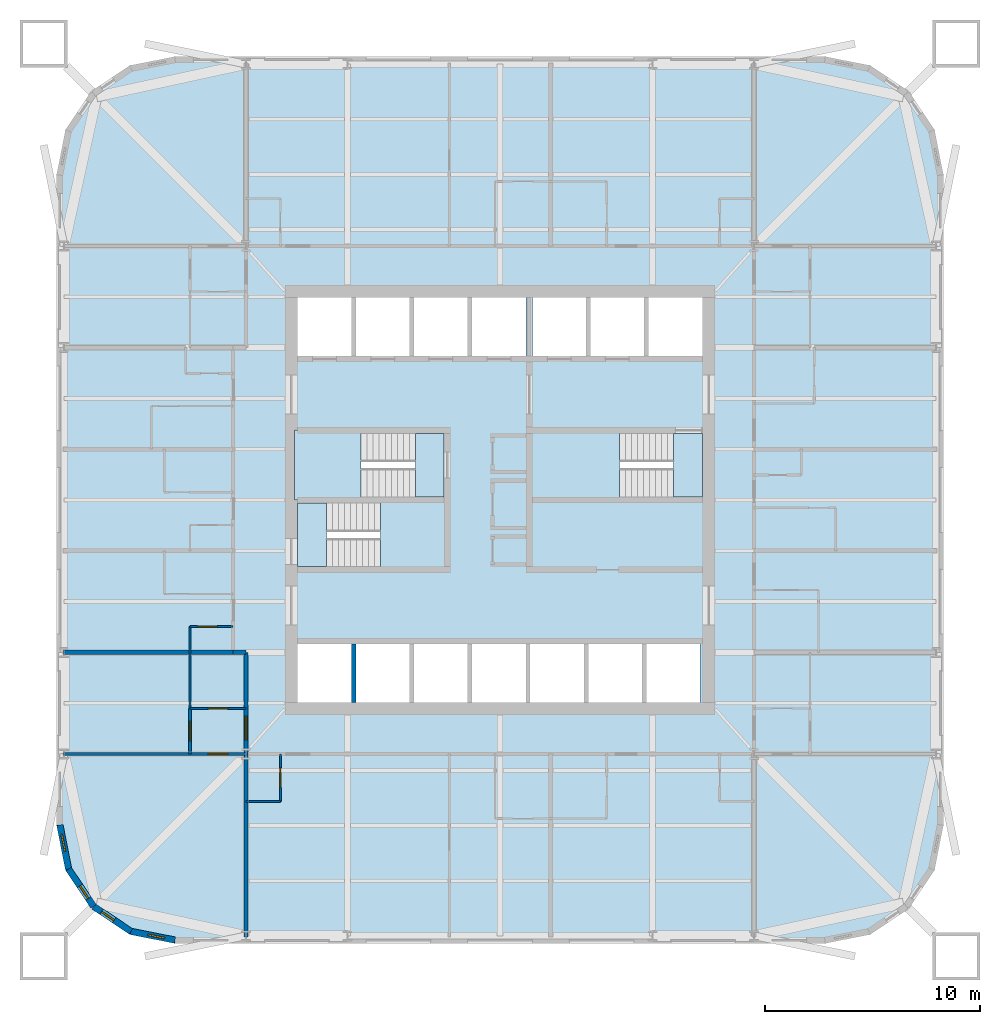
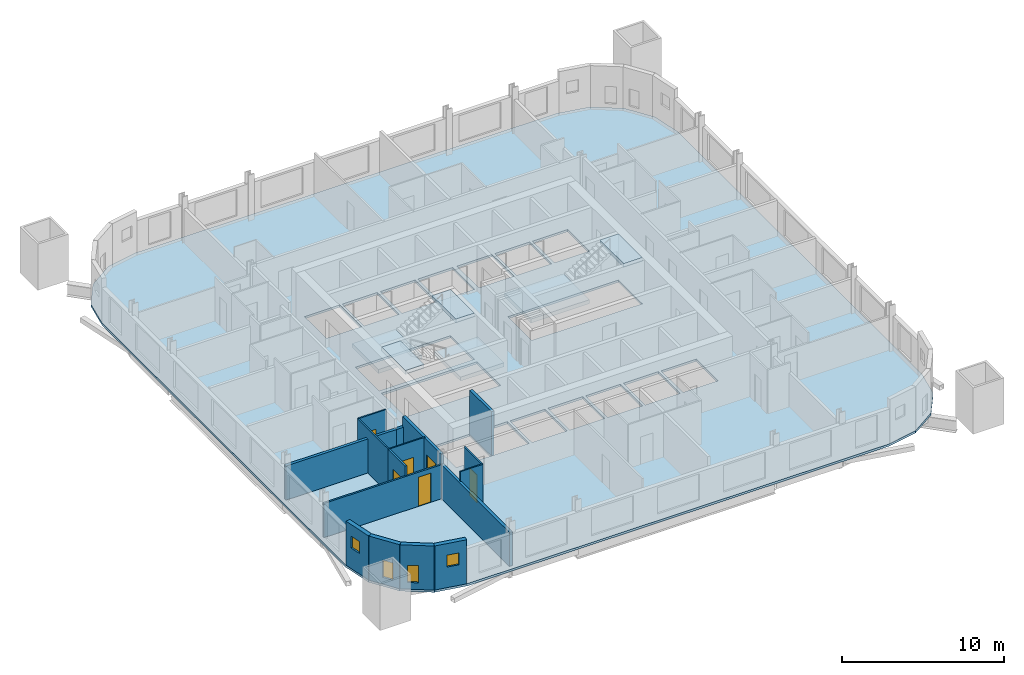
# One storey, part 2 of 9: 16 walls, 7 slabs, 6 doors, 4 windows, 10 openings, 3 elements without a shape of their own.
"""IFC4 building model written with IfcOpenShell, lengths in metres."""

import ifcopenshell
import ifcopenshell.guid

model = None  # the IFC model being written
_history = None  # IfcOwnerHistory: only IFC2X3 demands one
_inside = {}  # id of a spatial element -> (the spatial element, [elements in it])
_under = {}  # id of a project, library or spatial element -> (it, [spatial elements below it])
_declared = {}  # id of a project -> (the project, [libraries it declares])
_typed = {}  # id of a type object -> (the type object, [elements of that type])
_made_of = {}  # id of a material, layer set ... -> (it, [elements and type objects made of it])


def new_model(schema):
    """Start an empty IFC model of exactly this schema.

    Asked for "IFC4X3", IfcOpenShell would pick the latest addendum, in which some entities
    have other attributes; the version numbers below select the first issue.
    IFC2X3 requires an IfcOwnerHistory on every rooted entity: one is made here for all.
    """
    global model, _history
    if schema == "IFC4X3":
        model = ifcopenshell.file(schema_version=(4, 3, 0, 0))
    else:
        model = ifcopenshell.file(schema=schema)
    _inside.clear()
    _under.clear()
    _declared.clear()
    _typed.clear()
    _made_of.clear()
    _history = None
    if model.schema == "IFC2X3":
        org = make("IfcOrganization", Name="unknown")
        user = make(
            "IfcPersonAndOrganization",
            ThePerson=make("IfcPerson", FamilyName="unknown"),
            TheOrganization=org,
        )
        app = make(
            "IfcApplication",
            ApplicationDeveloper=org,
            Version="unknown",
            ApplicationFullName="unknown",
            ApplicationIdentifier="unknown",
        )
        _history = make(
            "IfcOwnerHistory",
            OwningUser=user,
            OwningApplication=app,
            ChangeAction="ADDED",
            CreationDate=0,
        )
    return model


def make(cls, **values):
    """One entity of the class cls with the attributes given. An attribute that is None is left unset."""
    return model.create_entity(
        cls, **{name: value for name, value in values.items() if value is not None}
    )


def rooted(cls, **values):
    """An entity with a GlobalId (a new one), such as an element, a storey or a relation."""
    return make(cls, GlobalId=ifcopenshell.guid.new(), OwnerHistory=_history, **values)


def si_unit(unit_type, name, prefix=None):
    """IfcSIUnit, for example si_unit("LENGTHUNIT", "METRE", prefix="MILLI")."""
    return make("IfcSIUnit", UnitType=unit_type, Prefix=prefix, Name=name)


def assignment(units):
    """IfcUnitAssignment: the units of a project."""
    return None if units is None else make("IfcUnitAssignment", Units=units)


def point(xyz):
    """IfcCartesianPoint."""
    return None if xyz is None else make("IfcCartesianPoint", Coordinates=xyz)


def direction(xyz):
    """IfcDirection."""
    return None if xyz is None else make("IfcDirection", DirectionRatios=xyz)


def frame(location, z_axis=None, x_axis=None):
    """IfcAxis2Placement3D, a coordinate frame: its origin and axes. An axis left out is left unset."""
    return make(
        "IfcAxis2Placement3D",
        Location=point(location),
        Axis=direction(z_axis),
        RefDirection=direction(x_axis),
    )


def frame_2d(location, x_axis=None):
    """IfcAxis2Placement2D, a coordinate frame in the plane: its origin and x axis."""
    return make(
        "IfcAxis2Placement2D", Location=point(location), RefDirection=direction(x_axis)
    )


def origin():
    """The frame at (0, 0, 0) with its axes left unset."""
    return frame((0.0, 0.0, 0.0))


def place(relative_to, where):
    """IfcLocalPlacement: puts the frame where relative to a parent placement (None: the world)."""
    return make(
        "IfcLocalPlacement", PlacementRelTo=relative_to, RelativePlacement=where
    )


def context(
    kind, dimensions, precision=None, world=None, true_north=None, identifier=None
):
    """IfcGeometricRepresentationContext, for example the 3D "Model" context."""
    return make(
        "IfcGeometricRepresentationContext",
        ContextIdentifier=identifier,
        ContextType=kind,
        CoordinateSpaceDimension=dimensions,
        Precision=precision,
        WorldCoordinateSystem=world,
        TrueNorth=true_north,
    )


def subcontext(parent, identifier, kind, view, scale=None):
    """IfcGeometricRepresentationSubContext, for example "Body" below "Model"."""
    return make(
        "IfcGeometricRepresentationSubContext",
        ContextIdentifier=identifier,
        ContextType=kind,
        ParentContext=parent,
        TargetScale=scale,
        TargetView=view,
    )


def project(units=None, contexts=None):
    """IfcProject with its units and contexts."""
    return rooted(
        "IfcProject",
        Name="project",
        RepresentationContexts=contexts,
        UnitsInContext=assignment(units),
    )


def spatial(cls, under=None, at=None, **own):
    """A site, building, storey or space (cls), placed at a placement, below another one or the project."""
    s = rooted(cls, ObjectPlacement=at, **own)
    if under is not None:
        _under.setdefault(under.id(), (under, []))[1].append(s)
    return s


def polyline(points):
    """IfcPolyline through the points."""
    return make("IfcPolyline", Points=[point(p) for p in points])


def profile(cls, at=None, kind="AREA", **sizes):
    """A parametric profile (cls). Its sizes go by their IFC names, for example OverallWidth=200.0."""
    return make(cls, ProfileType=kind, Position=at, **sizes)


def rectangle(**sizes):
    """IfcRectangleProfileDef."""
    return profile("IfcRectangleProfileDef", **sizes)


def outline(outer, holes=None, kind="AREA"):
    """IfcArbitraryClosedProfileDef: a profile drawn as a closed curve; with holes, ...WithVoids."""
    if holes is None:
        return make("IfcArbitraryClosedProfileDef", ProfileType=kind, OuterCurve=outer)
    return make(
        "IfcArbitraryProfileDefWithVoids",
        ProfileType=kind,
        OuterCurve=outer,
        InnerCurves=holes,
    )


def extrude(swept, where, along, depth):
    """IfcExtrudedAreaSolid: the profile swept, set in the frame where, extruded along a direction by depth."""
    return make(
        "IfcExtrudedAreaSolid",
        SweptArea=swept,
        Position=where,
        ExtrudedDirection=direction(along),
        Depth=depth,
    )


def shape(context_of_items, identifier, shape_type, items):
    """IfcShapeRepresentation: the items that make up one representation, for example the "Body"."""
    return make(
        "IfcShapeRepresentation",
        ContextOfItems=context_of_items,
        RepresentationIdentifier=identifier,
        RepresentationType=shape_type,
        Items=items,
    )


def material(Name=None, Category=None):
    """IfcMaterial."""
    return make("IfcMaterial", Name=Name, Category=Category)


def layer(
    of_material, thickness, ventilated=None, Name=None, Category=None, Priority=None
):
    """IfcMaterialLayer: one layer of a wall or slab, of a material (None: an air gap)."""
    return make(
        "IfcMaterialLayer",
        Material=of_material,
        LayerThickness=thickness,
        IsVentilated=ventilated,
        Name=Name,
        Category=Category,
        Priority=Priority,
    )


def layer_set(layers, Name=None):
    """IfcMaterialLayerSet."""
    return make("IfcMaterialLayerSet", MaterialLayers=layers, LayerSetName=Name)


def made_of(thing, what):
    """Note that an element or type object is made of a material, layer set ...; save() writes the relation."""
    if what is not None:
        _made_of.setdefault(what.id(), (what, []))[1].append(thing)
    return thing


def type_object(cls, material=None, **own):
    """A type object (cls), such as IfcWallType, which elements share."""
    return made_of(rooted(cls, **own), material)


def element(
    cls,
    number,
    at=None,
    inside=None,
    cuts=None,
    type_object=None,
    material=None,
    context=None,
    identifier="Body",
    shape_type=None,
    held_by="IfcProductDefinitionShape",
    body=None,
    shapes=None,
    **own,
):
    """One element of the class cls, such as IfcWall. Its Tag is "e" and its number.

    at: its placement. inside: the storey or other place that contains it. cuts: it is an
    opening in that element (IfcRelVoidsElement). A single representation is given by context,
    identifier, shape_type and body (its items); several are given by shapes. held_by: the class
    of the entity that holds the representations. save() writes the other relations.
    """
    e = rooted(cls, Tag="e%d" % number, ObjectPlacement=at, **own)
    if body is not None:
        shapes = [shape(context, identifier, shape_type, body)]
    if shapes is not None:
        e.Representation = make(held_by, Representations=shapes)
    if inside is not None:
        _inside.setdefault(inside.id(), (inside, []))[1].append(e)
    if cuts is not None:
        rooted(
            "IfcRelVoidsElement", RelatingBuildingElement=cuts, RelatedOpeningElement=e
        )
    if type_object is not None:
        _typed.setdefault(type_object.id(), (type_object, []))[1].append(e)
    return made_of(e, material)


def fill(opening, filler):
    """IfcRelFillsElement: the door or window that sits in an opening."""
    return rooted(
        "IfcRelFillsElement",
        RelatingOpeningElement=opening,
        RelatedBuildingElement=filler,
    )


def aggregate(whole, parts):
    """IfcRelAggregates: a whole, such as a stair, and the parts it consists of."""
    return rooted("IfcRelAggregates", RelatingObject=whole, RelatedObjects=parts)


def save(model, path):
    """Write the relations noted so far, then the file.

    IfcRelAggregates (storeys below a building ...), IfcRelContainedInSpatialStructure (elements
    in a storey), IfcRelDefinesByType, IfcRelAssociatesMaterial and IfcRelDeclares: one each for
    every whole, place, type object, material and project.
    """
    for whole, parts in _under.values():
        aggregate(whole, parts)
    for where, things in _inside.values():
        rooted(
            "IfcRelContainedInSpatialStructure",
            RelatedElements=things,
            RelatingStructure=where,
        )
    for kind, things in _typed.values():
        rooted("IfcRelDefinesByType", RelatedObjects=things, RelatingType=kind)
    for what, things in _made_of.values():
        rooted("IfcRelAssociatesMaterial", RelatedObjects=things, RelatingMaterial=what)
    for by, libraries in _declared.values():
        rooted("IfcRelDeclares", RelatingContext=by, RelatedDefinitions=libraries)
    model.write(path)


model = new_model("IFC4")

# Units and contexts
model_context = context("Model", 3, precision=1e-05, world=origin(), true_north=direction((0.0, 1.0)))
body_context = subcontext(model_context, "Body", "Model", "MODEL_VIEW")
ifc_project = project(units=[si_unit("LENGTHUNIT", "METRE"), si_unit("AREAUNIT", "SQUARE_METRE"), si_unit("VOLUMEUNIT", "CUBIC_METRE"), si_unit("PLANEANGLEUNIT", "RADIAN"), si_unit("MASSUNIT", "GRAM", prefix="KILO")], contexts=[model_context])

# Site, building, storey
site_placement = place(None, origin())
site = spatial("IfcSite", under=ifc_project, at=site_placement, CompositionType="ELEMENT")
building_placement = place(site_placement, origin())
building = spatial("IfcBuilding", under=site, at=building_placement, Name="Turquesa Mirador Hotel Tower", CompositionType="ELEMENT")
storey_placement = place(building_placement, frame((0.0, 0.0, 149.39990234375)))
storey = spatial("IfcBuildingStorey", under=building, at=storey_placement, Name="L40", CompositionType="ELEMENT", Elevation=149.39990234375)

# Slab
ifc_material_1 = material(Name="Concrete C28/35", Category="concrete")
ifc_layer_1 = layer(ifc_material_1, 0.169921875)
ifc_layer_set_1 = layer_set([ifc_layer_1], Name="COMPOSITE FLOOR SLAB 170")
slab_type_1 = type_object("IfcSlabType", Name="COMPOSITE FLOOR SLAB 170", PredefinedType="FLOOR", material=ifc_layer_set_1)
slab_1_placement = place(storey_placement, frame((0.0, 0.0, -0.169921875)))
element("IfcSlab", 1, at=slab_1_placement, inside=storey, type_object=slab_type_1, Name="Floor slab L40", PredefinedType="FLOOR", context=body_context, shape_type="SweptSolid", body=[
    extrude(outline(polyline([(70.10009765625, 24.39990234375), (72.204833984375, 24.818603515625), (73.989013671875, 26.010986328125), (75.181396484375, 27.795166015625), (75.60009765625, 29.89990234375), (75.60009765625, 60.10009765625), (75.181396484375, 62.204833984375), (73.989013671875, 63.989013671875), (72.204833984375, 65.181396484375), (70.10009765625, 65.60009765625), (39.89990234375, 65.60009765625), (37.795166015625, 65.181396484375), (36.010986328125, 63.989013671875), (34.818603515625, 62.204833984375), (34.39990234375, 60.10009765625), (34.39990234375, 29.89990234375), (34.818603515625, 27.795166015625), (36.010986328125, 26.010986328125), (37.795166015625, 24.818603515625), (39.89990234375, 24.39990234375), (70.10009765625, 24.39990234375)]), holes=[polyline([(45.60009765625, 51.699951171875), (48.10009765625, 51.699951171875), (48.10009765625, 54.39990234375), (45.60009765625, 54.39990234375), (45.60009765625, 51.699951171875)]), polyline([(48.300048828125, 51.699951171875), (50.800048828125, 51.699951171875), (50.800048828125, 54.39990234375), (48.300048828125, 54.39990234375), (48.300048828125, 51.699951171875)]), polyline([(51.0, 51.699951171875), (53.5, 51.699951171875), (53.5, 54.39990234375), (51.0, 54.39990234375), (51.0, 51.699951171875)]), polyline([(53.699951171875, 51.699951171875), (56.199951171875, 51.699951171875), (56.199951171875, 54.39990234375), (53.699951171875, 54.39990234375), (53.699951171875, 51.699951171875)]), polyline([(56.5, 51.699951171875), (59.0, 51.699951171875), (59.0, 54.39990234375), (56.5, 54.39990234375), (56.5, 51.699951171875)]), polyline([(59.199951171875, 51.699951171875), (61.699951171875, 51.699951171875), (61.699951171875, 54.39990234375), (59.199951171875, 54.39990234375), (59.199951171875, 51.699951171875)]), polyline([(45.60009765625, 35.60009765625), (48.10009765625, 35.60009765625), (48.10009765625, 38.300048828125), (45.60009765625, 38.300048828125), (45.60009765625, 35.60009765625)]), polyline([(48.300048828125, 35.60009765625), (50.800048828125, 35.60009765625), (50.800048828125, 38.300048828125), (48.300048828125, 38.300048828125), (48.300048828125, 35.60009765625)]), polyline([(51.0, 35.60009765625), (53.5, 35.60009765625), (53.5, 38.300048828125), (51.0, 38.300048828125), (51.0, 35.60009765625)]), polyline([(53.699951171875, 35.60009765625), (56.199951171875, 35.60009765625), (56.199951171875, 38.300048828125), (53.699951171875, 38.300048828125), (53.699951171875, 35.60009765625)]), polyline([(56.39990234375, 35.60009765625), (58.89990234375, 35.60009765625), (58.89990234375, 38.300048828125), (56.39990234375, 38.300048828125), (56.39990234375, 35.60009765625)]), polyline([(59.10009765625, 35.60009765625), (61.60009765625, 35.60009765625), (61.60009765625, 38.300048828125), (59.10009765625, 38.300048828125), (59.10009765625, 35.60009765625)]), polyline([(61.800048828125, 35.60009765625), (64.300048828125, 35.60009765625), (64.300048828125, 38.300048828125), (61.800048828125, 38.300048828125), (61.800048828125, 35.60009765625)]), polyline([(45.60009765625, 45.14990234375), (52.39990234375, 45.14990234375), (52.39990234375, 48.10009765625), (45.60009765625, 48.10009765625), (45.60009765625, 45.14990234375)]), polyline([(45.60009765625, 41.89990234375), (52.39990234375, 41.89990234375), (52.39990234375, 44.85009765625), (45.60009765625, 44.85009765625), (45.60009765625, 41.89990234375)]), polyline([(56.5, 45.14990234375), (64.39990234375, 45.14990234375), (64.39990234375, 48.10009765625), (56.5, 48.10009765625), (56.5, 45.14990234375)]), polyline([(61.89990234375, 51.699951171875), (64.39990234375, 51.699951171875), (64.39990234375, 54.39990234375), (61.89990234375, 54.39990234375), (61.89990234375, 51.699951171875)])]), origin(), (0.0, 0.0, 1.0), 0.169921875),
])

# Stair, slabs
ifc_material_2 = material(Name="Concrete C35/45", Category="concrete")
stair_type = type_object("IfcStairType", Name="ESCAPE STAIR CORE", PredefinedType="HALF_TURN_STAIR", material=ifc_material_2)
stair_1_placement = place(storey_placement, origin())
stair_1 = element("IfcStair", 2, at=stair_1_placement, inside=storey, type_object=stair_type, Name="Stair ST1 L40 to L41", PredefinedType="HALF_TURN_STAIR")
ifc_material_3 = material(Name="Concrete C35/45", Category="concrete")
ifc_layer_2 = layer(ifc_material_3, 0.300048828125)
ifc_layer_set_2 = layer_set([ifc_layer_2], Name="STAIR LANDING 300")
slab_type_2 = type_object("IfcSlabType", Name="STAIR LANDING 300", PredefinedType="LANDING", material=ifc_layer_set_2)
slab_2_placement = place(storey_placement, frame((0.0, 0.0, 1.4501953125)))
slab_2 = element("IfcSlab", 3, at=slab_2_placement, type_object=slab_type_2, Name="ST1 landing 1", PredefinedType="LANDING", context=body_context, shape_type="SweptSolid", body=[
    extrude(outline(polyline([(45.449951171875, 45.0), (48.550048828125, 45.0), (48.550048828125, 48.25), (45.449951171875, 48.25), (45.449951171875, 45.0)])), origin(), (0.0, 0.0, 1.0), 0.2998046875),
])
slab_3_placement = place(storey_placement, frame((0.0, 0.0, 3.2001953125)))
slab_3 = element("IfcSlab", 4, at=slab_3_placement, type_object=slab_type_2, Name="ST1 landing 2", PredefinedType="LANDING", context=body_context, shape_type="SweptSolid", body=[
    extrude(outline(polyline([(51.070068359375, 45.14990234375), (52.39990234375, 45.14990234375), (52.39990234375, 48.10009765625), (51.070068359375, 48.10009765625), (51.070068359375, 45.14990234375)])), origin(), (0.0, 0.0, 1.0), 0.2998046875),
])
aggregate(stair_1, [slab_2, slab_3])

stair_2_placement = place(storey_placement, origin())
stair_2 = element("IfcStair", 5, at=stair_2_placement, inside=storey, type_object=stair_type, Name="Stair ST2 L40 to L41", PredefinedType="HALF_TURN_STAIR")
slab_4_placement = place(storey_placement, frame((0.0, 0.0, 1.4501953125)))
slab_4 = element("IfcSlab", 6, at=slab_4_placement, type_object=slab_type_2, Name="ST2 landing 1", PredefinedType="LANDING", context=body_context, shape_type="SweptSolid", body=[
    extrude(outline(polyline([(52.550048828125, 45.0), (49.449951171875, 45.0), (49.449951171875, 41.75), (52.550048828125, 41.75), (52.550048828125, 45.0)])), origin(), (0.0, 0.0, 1.0), 0.2998046875),
])
slab_5_placement = place(storey_placement, frame((0.0, 0.0, 3.2001953125)))
slab_5 = element("IfcSlab", 7, at=slab_5_placement, type_object=slab_type_2, Name="ST2 landing 2", PredefinedType="LANDING", context=body_context, shape_type="SweptSolid", body=[
    extrude(outline(polyline([(46.929931640625, 44.85009765625), (45.60009765625, 44.85009765625), (45.60009765625, 41.89990234375), (46.929931640625, 41.89990234375), (46.929931640625, 44.85009765625)])), origin(), (0.0, 0.0, 1.0), 0.2998046875),
])
aggregate(stair_2, [slab_4, slab_5])

stair_3_placement = place(storey_placement, origin())
stair_3 = element("IfcStair", 8, at=stair_3_placement, inside=storey, type_object=stair_type, Name="Stair ST3 L40 to L41", PredefinedType="HALF_TURN_STAIR")
slab_6_placement = place(storey_placement, frame((0.0, 0.0, 1.4501953125)))
slab_6 = element("IfcSlab", 9, at=slab_6_placement, type_object=slab_type_2, Name="ST3 landing 1", PredefinedType="LANDING", context=body_context, shape_type="SweptSolid", body=[
    extrude(outline(polyline([(56.35009765625, 45.0), (60.550048828125, 45.0), (60.550048828125, 48.25), (56.35009765625, 48.25), (56.35009765625, 45.0)])), origin(), (0.0, 0.0, 1.0), 0.2998046875),
])
slab_7_placement = place(storey_placement, frame((0.0, 0.0, 3.2001953125)))
slab_7 = element("IfcSlab", 10, at=slab_7_placement, type_object=slab_type_2, Name="ST3 landing 2", PredefinedType="LANDING", context=body_context, shape_type="SweptSolid", body=[
    extrude(outline(polyline([(63.070068359375, 45.14990234375), (64.39990234375, 45.14990234375), (64.39990234375, 48.10009765625), (63.070068359375, 48.10009765625), (63.070068359375, 45.14990234375)])), origin(), (0.0, 0.0, 1.0), 0.2998046875),
])
aggregate(stair_3, [slab_6, slab_7])

# Wall
ifc_material_4 = material(Name="Gypsum board on steel studs", Category="steel")
ifc_layer_3 = layer(ifc_material_4, 0.10009765625)
ifc_layer_set_3 = layer_set([ifc_layer_3], Name="BATHROOM WALL 100")
wall_type_1 = type_object("IfcWallType", Name="BATHROOM WALL 100", PredefinedType="PARTITIONING", material=ifc_layer_set_3)
wall_1_placement = place(storey_placement, frame((43.199951171875, 31.0, 0.0), z_axis=(0.0, 0.0, 1.0), x_axis=(1.0, 0.0, 0.0)))
element("IfcWall", 11, at=wall_1_placement, inside=storey, type_object=wall_type_1, Name="Partition L40 006", PredefinedType="PARTITIONING", context=body_context, shape_type="SweptSolid", body=[
    extrude(rectangle(XDim=1.60009765625, YDim=0.10009765625, at=frame_2d((0.800048828125, 0.0))), origin(), (0.0, 0.0, 1.0), 3.330078125),
])

# Wall, opening, door
wall_2_placement = place(storey_placement, frame((40.60009765625, 39.1201171875, 0.0), z_axis=(0.0, 0.0, 1.0), x_axis=(1.0, 0.0, 0.0)))
wall_2 = element("IfcWall", 12, at=wall_2_placement, inside=storey, type_object=wall_type_1, Name="Partition L40 013", PredefinedType="PARTITIONING", context=body_context, shape_type="SweptSolid", body=[
    extrude(rectangle(XDim=2.0, YDim=0.10009765625, at=frame_2d((1.0, 0.0))), origin(), (0.0, 0.0, 1.0), 3.330078125),
])
opening_1_placement = place(wall_2_placement, frame((0.35009765625, 0.0, 0.0)))
opening_1 = element("IfcOpeningElement", 13, at=opening_1_placement, cuts=wall_2, Name="Opening D06", PredefinedType="OPENING", context=body_context, shape_type="SweptSolid", body=[
    extrude(rectangle(XDim=0.89990234375, YDim=2.10009765625, at=frame_2d((0.449951171875, 1.050048828125))), frame((0.0, 0.06005859375, 0.0), z_axis=(0.0, -1.0, 0.0), x_axis=(1.0, 0.0, 0.0)), (0.0, 0.0, 1.0), 0.1201171875),
])
ifc_material_5 = material(Name="Laminate door", Category="wood")
door_type_1 = type_object("IfcDoorType", Name="DOOR 900X2100 WC", OperationType="SINGLE_SWING_LEFT", PredefinedType="DOOR", material=ifc_material_5)
door_1_placement = place(opening_1_placement, origin())
door_1 = element("IfcDoor", 14, at=door_1_placement, inside=storey, type_object=door_type_1, Name="Door 4008W", OperationType="SINGLE_SWING_LEFT", OverallHeight=2.10009765625, OverallWidth=0.89990234375, PredefinedType="DOOR", context=body_context, shape_type="SweptSolid", body=[
    extrude(rectangle(XDim=0.89990234375, YDim=2.10009765625, at=frame_2d((0.449951171875, 1.050048828125))), frame((0.0, 0.02490234375, 0.0), z_axis=(0.0, -1.0, 0.0), x_axis=(1.0, 0.0, 0.0)), (0.0, 0.0, 1.0), 0.050048828125),
])
fill(opening_1, door_1)

wall_3_placement = place(storey_placement, frame((40.60009765625, 35.320068359375, 0.0), z_axis=(0.0, 0.0, 1.0), x_axis=(1.0, 0.0, 0.0)))
wall_3 = element("IfcWall", 15, at=wall_3_placement, inside=storey, type_object=wall_type_1, Name="Partition L40 017", PredefinedType="PARTITIONING", context=body_context, shape_type="SweptSolid", body=[
    extrude(rectangle(XDim=2.599853515625, YDim=0.10009765625, at=frame_2d((1.2998046875, 0.0))), origin(), (0.0, 0.0, 1.0), 3.330078125),
])
opening_2_placement = place(wall_3_placement, frame((0.85009765625, 0.0, 0.0)))
opening_2 = element("IfcOpeningElement", 16, at=opening_2_placement, cuts=wall_3, Name="Opening D02", PredefinedType="OPENING", context=body_context, shape_type="SweptSolid", body=[
    extrude(rectangle(XDim=0.89990234375, YDim=2.10009765625, at=frame_2d((0.449951171875, 1.050048828125))), frame((0.0, 0.06005859375, 0.0), z_axis=(0.0, -1.0, 0.0), x_axis=(1.0, 0.0, 0.0)), (0.0, 0.0, 1.0), 0.1201171875),
])
ifc_material_6 = material(Name="Timber veneered door", Category="wood")
door_type_2 = type_object("IfcDoorType", Name="DOOR 900X2100 EN-SUITE", OperationType="SINGLE_SWING_RIGHT", PredefinedType="DOOR", material=ifc_material_6)
door_2_placement = place(opening_2_placement, origin())
door_2 = element("IfcDoor", 17, at=door_2_placement, inside=storey, type_object=door_type_2, Name="Door 4013B", OperationType="SINGLE_SWING_RIGHT", OverallHeight=2.10009765625, OverallWidth=0.89990234375, PredefinedType="DOOR", context=body_context, shape_type="SweptSolid", body=[
    extrude(rectangle(XDim=0.89990234375, YDim=2.10009765625, at=frame_2d((0.449951171875, 1.050048828125))), frame((0.0, 0.02490234375, 0.0), z_axis=(0.0, -1.0, 0.0), x_axis=(1.0, 0.0, 0.0)), (0.0, 0.0, 1.0), 0.050048828125),
])
fill(opening_2, door_2)

wall_4_placement = place(storey_placement, frame((44.800048828125, 31.0, 0.0), z_axis=(0.0, 0.0, 1.0), x_axis=(0.0, 1.0, 0.0)))
wall_4 = element("IfcWall", 18, at=wall_4_placement, inside=storey, type_object=wall_type_1, Name="Partition L40 041", PredefinedType="PARTITIONING", context=body_context, shape_type="SweptSolid", body=[
    extrude(rectangle(XDim=2.199951171875, YDim=0.10009765625, at=frame_2d((1.10009765625, 0.0))), origin(), (0.0, 0.0, 1.0), 3.330078125),
])
opening_3_placement = place(wall_4_placement, frame((0.64990234375, 0.0, 0.0)))
opening_3 = element("IfcOpeningElement", 19, at=opening_3_placement, cuts=wall_4, Name="Opening D06", PredefinedType="OPENING", context=body_context, shape_type="SweptSolid", body=[
    extrude(rectangle(XDim=0.89990234375, YDim=2.10009765625, at=frame_2d((0.449951171875, 1.050048828125))), frame((0.0, 0.06005859375, 0.0), z_axis=(0.0, -1.0, 0.0), x_axis=(1.0, 0.0, 0.0)), (0.0, 0.0, 1.0), 0.1201171875),
])
door_3_placement = place(opening_3_placement, origin())
door_3 = element("IfcDoor", 20, at=door_3_placement, inside=storey, type_object=door_type_1, Name="Door 4003W", OperationType="SINGLE_SWING_LEFT", OverallHeight=2.10009765625, OverallWidth=0.89990234375, PredefinedType="DOOR", context=body_context, shape_type="SweptSolid", body=[
    extrude(rectangle(XDim=0.89990234375, YDim=2.10009765625, at=frame_2d((0.449951171875, 1.050048828125))), frame((0.0, 0.02490234375, 0.0), z_axis=(0.0, -1.0, 0.0), x_axis=(1.0, 0.0, 0.0)), (0.0, 0.0, 1.0), 0.050048828125),
])
fill(opening_3, door_3)

# Walls
wall_5_placement = place(storey_placement, frame((40.60009765625, 35.320068359375, 0.0), z_axis=(0.0, 0.0, 1.0), x_axis=(0.0, 1.0, 0.0)))
element("IfcWall", 21, at=wall_5_placement, inside=storey, type_object=wall_type_1, Name="Partition L40 048", PredefinedType="PARTITIONING", context=body_context, shape_type="SweptSolid", body=[
    extrude(rectangle(XDim=3.800048828125, YDim=0.10009765625, at=frame_2d((1.89990234375, 0.0))), origin(), (0.0, 0.0, 1.0), 3.330078125),
])
ifc_material_7 = material(Name="Fire-rated gypsum board on steel studs", Category="steel")
ifc_layer_4 = layer(ifc_material_7, 0.199951171875)
ifc_layer_set_4 = layer_set([ifc_layer_4], Name="CORRIDOR WALL 200")
wall_type_2 = type_object("IfcWallType", Name="CORRIDOR WALL 200", PredefinedType="PARTITIONING", material=ifc_layer_set_4)
wall_6_placement = place(storey_placement, frame((42.60009765625, 37.919921875, 0.0), z_axis=(0.0, 0.0, 1.0), x_axis=(1.0, 0.0, 0.0)))
element("IfcWall", 22, at=wall_6_placement, inside=storey, type_object=wall_type_2, Name="Partition L40 014", PredefinedType="PARTITIONING", context=body_context, shape_type="SweptSolid", body=[
    extrude(rectangle(XDim=0.599853515625, YDim=0.199951171875, at=frame_2d((0.2998046875, 0.0))), origin(), (0.0, 0.0, 1.0), 2.5732421875),
])

# Wall, opening, door
wall_7_placement = place(storey_placement, frame((43.199951171875, 33.199951171875, 0.0), z_axis=(0.0, 0.0, 1.0), x_axis=(0.0, 1.0, 0.0)))
wall_7 = element("IfcWall", 23, at=wall_7_placement, inside=storey, type_object=wall_type_2, Name="Partition L40 043", PredefinedType="PARTITIONING", context=body_context, shape_type="SweptSolid", body=[
    extrude(rectangle(XDim=4.719970703125, YDim=0.199951171875, at=frame_2d((2.35986328125, 0.0))), origin(), (0.0, 0.0, 1.0), 3.330078125),
])
opening_4_placement = place(wall_7_placement, frame((0.659912109375, 0.0, 0.0)))
opening_4 = element("IfcOpeningElement", 24, at=opening_4_placement, cuts=wall_7, Name="Opening D15", PredefinedType="OPENING", context=body_context, shape_type="SweptSolid", body=[
    extrude(rectangle(XDim=1.10009765625, YDim=2.199951171875, at=frame_2d((0.550048828125, 1.10009765625))), frame((0.0, 0.10986328125, 0.0), z_axis=(0.0, -1.0, 0.0), x_axis=(1.0, 0.0, 0.0)), (0.0, 0.0, 1.0), 0.219970703125),
])
ifc_material_8 = material(Name="Timber veneered fire door", Category="wood")
door_type_3 = type_object("IfcDoorType", Name="DOOR 1100X2200 SUITE ENTRY", OperationType="SINGLE_SWING_LEFT", PredefinedType="DOOR", material=ifc_material_8)
door_4_placement = place(opening_4_placement, origin())
door_4 = element("IfcDoor", 25, at=door_4_placement, inside=storey, type_object=door_type_3, Name="Door 4013H", OperationType="SINGLE_SWING_LEFT", OverallHeight=2.199951171875, OverallWidth=1.10009765625, PredefinedType="DOOR", context=body_context, shape_type="SweptSolid", body=[
    extrude(rectangle(XDim=1.10009765625, YDim=2.199951171875, at=frame_2d((0.550048828125, 1.10009765625))), frame((0.0, 0.02490234375, 0.0), z_axis=(0.0, -1.0, 0.0), x_axis=(1.0, 0.0, 0.0)), (0.0, 0.0, 1.0), 0.050048828125),
])
fill(opening_4, door_4)

# Wall, opening, window
ifc_material_9 = material(Name="Limestone cladding on concrete block", Category="masonry")
ifc_layer_5 = layer(ifc_material_9, 0.300048828125)
ifc_layer_set_5 = layer_set([ifc_layer_5], Name="FACADE WALL 300 STONE SCREEN")
wall_type_3 = type_object("IfcWallType", Name="FACADE WALL 300 STONE SCREEN", PredefinedType="SOLIDWALL", material=ifc_layer_set_5)
wall_8_placement = place(storey_placement, frame((34.550048828125, 29.89990234375, 0.0), z_axis=(0.0, 0.0, 1.0), x_axis=(0.195081421501, -0.980787050784, 0.0)))
wall_8 = element("IfcWall", 26, at=wall_8_placement, inside=storey, type_object=wall_type_3, Name="Facade wall L40 15", PredefinedType="SOLIDWALL", context=body_context, shape_type="SweptSolid", body=[
    extrude(rectangle(XDim=2.08740234375, YDim=0.300048828125, at=frame_2d((1.043701171875, 0.0))), origin(), (0.0, 0.0, 1.0), 3.330078125),
])
opening_5_placement = place(wall_8_placement, frame((0.443603515625, 0.0, 1.550048828125)))
opening_5 = element("IfcOpeningElement", 27, at=opening_5_placement, cuts=wall_8, Name="Opening WN18", PredefinedType="OPENING", context=body_context, shape_type="SweptSolid", body=[
    extrude(rectangle(XDim=0.800048828125, YDim=0.89990234375, at=frame_2d((0.39990234375, 0.449951171875))), frame((0.0, 0.159912109375, 0.0), z_axis=(0.0, -1.0, 0.0), x_axis=(1.0, 0.0, 0.0)), (0.0, 0.0, 1.0), 0.320068359375),
])
ifc_material_10 = material(Name="Ceramic-fritted laminated glass", Category="glass")
window_type_1 = type_object("IfcWindowType", Name="FRITTED CORNER WINDOW 800X900", PartitioningType="DOUBLE_PANEL_HORIZONTAL", PredefinedType="WINDOW", material=ifc_material_10)
window_1_placement = place(opening_5_placement, origin())
window_1 = element("IfcWindow", 28, at=window_1_placement, inside=storey, type_object=window_type_1, Name="Window L40", OverallHeight=0.89990234375, OverallWidth=0.800048828125, PartitioningType="SINGLE_PANEL", PredefinedType="WINDOW", context=body_context, shape_type="SweptSolid", body=[
    extrude(rectangle(XDim=0.800048828125, YDim=0.89990234375, at=frame_2d((0.39990234375, 0.449951171875))), frame((0.0, 0.030029296875, 0.0), z_axis=(0.0, -1.0, 0.0), x_axis=(1.0, 0.0, 0.0)), (0.0, 0.0, 1.0), 0.06005859375),
])
fill(opening_5, window_1)

wall_9_placement = place(storey_placement, frame((34.957275390625, 27.8525390625, 0.0), z_axis=(0.0, 0.0, 1.0), x_axis=(0.555563607591, -0.831474039234, 0.0)))
wall_9 = element("IfcWall", 29, at=wall_9_placement, inside=storey, type_object=wall_type_3, Name="Facade wall L40 16", PredefinedType="SOLIDWALL", context=body_context, shape_type="SweptSolid", body=[
    extrude(rectangle(XDim=2.08740234375, YDim=0.300048828125, at=frame_2d((1.043701171875, 0.0))), origin(), (0.0, 0.0, 1.0), 3.330078125),
])
opening_6_placement = place(wall_9_placement, frame((0.943603515625, 0.0, 0.5)))
opening_6 = element("IfcOpeningElement", 30, at=opening_6_placement, cuts=wall_9, Name="Opening WN17", PredefinedType="OPENING", context=body_context, shape_type="SweptSolid", body=[
    extrude(rectangle(XDim=0.699951171875, YDim=1.300048828125, at=frame_2d((0.35009765625, 0.64990234375))), frame((0.0, 0.159912109375, 0.0), z_axis=(0.0, -1.0, 0.0), x_axis=(1.0, 0.0, 0.0)), (0.0, 0.0, 1.0), 0.320068359375),
])
ifc_material_11 = material(Name="Ceramic-fritted laminated glass", Category="glass")
window_type_2 = type_object("IfcWindowType", Name="FRITTED CORNER WINDOW 700X1300", PartitioningType="DOUBLE_PANEL_HORIZONTAL", PredefinedType="WINDOW", material=ifc_material_11)
window_2_placement = place(opening_6_placement, origin())
window_2 = element("IfcWindow", 31, at=window_2_placement, inside=storey, type_object=window_type_2, Name="Window L40", OverallHeight=1.300048828125, OverallWidth=0.699951171875, PartitioningType="SINGLE_PANEL", PredefinedType="WINDOW", context=body_context, shape_type="SweptSolid", body=[
    extrude(rectangle(XDim=0.699951171875, YDim=1.300048828125, at=frame_2d((0.35009765625, 0.64990234375))), frame((0.0, 0.030029296875, 0.0), z_axis=(0.0, -1.0, 0.0), x_axis=(1.0, 0.0, 0.0)), (0.0, 0.0, 1.0), 0.06005859375),
])
fill(opening_6, window_2)

wall_10_placement = place(storey_placement, frame((36.116943359375, 26.116943359375, 0.0), z_axis=(0.0, 0.0, 1.0), x_axis=(0.831474039234, -0.555563607591, 0.0)))
wall_10 = element("IfcWall", 32, at=wall_10_placement, inside=storey, type_object=wall_type_3, Name="Facade wall L40 17", PredefinedType="SOLIDWALL", context=body_context, shape_type="SweptSolid", body=[
    extrude(rectangle(XDim=2.08740234375, YDim=0.300048828125, at=frame_2d((1.043701171875, 0.0))), origin(), (0.0, 0.0, 1.0), 3.330078125),
])
opening_7_placement = place(wall_10_placement, frame((0.443603515625, 0.0, 0.5)))
opening_7 = element("IfcOpeningElement", 33, at=opening_7_placement, cuts=wall_10, Name="Opening WN17", PredefinedType="OPENING", context=body_context, shape_type="SweptSolid", body=[
    extrude(rectangle(XDim=0.699951171875, YDim=1.300048828125, at=frame_2d((0.35009765625, 0.64990234375))), frame((0.0, 0.159912109375, 0.0), z_axis=(0.0, -1.0, 0.0), x_axis=(1.0, 0.0, 0.0)), (0.0, 0.0, 1.0), 0.320068359375),
])
window_3_placement = place(opening_7_placement, origin())
window_3 = element("IfcWindow", 34, at=window_3_placement, inside=storey, type_object=window_type_2, Name="Window L40", OverallHeight=1.300048828125, OverallWidth=0.699951171875, PartitioningType="SINGLE_PANEL", PredefinedType="WINDOW", context=body_context, shape_type="SweptSolid", body=[
    extrude(rectangle(XDim=0.699951171875, YDim=1.300048828125, at=frame_2d((0.35009765625, 0.64990234375))), frame((0.0, 0.030029296875, 0.0), z_axis=(0.0, -1.0, 0.0), x_axis=(1.0, 0.0, 0.0)), (0.0, 0.0, 1.0), 0.06005859375),
])
fill(opening_7, window_3)

wall_11_placement = place(storey_placement, frame((37.8525390625, 24.957275390625, 0.0), z_axis=(0.0, 0.0, 1.0), x_axis=(0.980787050784, -0.195081421501, 0.0)))
wall_11 = element("IfcWall", 35, at=wall_11_placement, inside=storey, type_object=wall_type_3, Name="Facade wall L40 18", PredefinedType="SOLIDWALL", context=body_context, shape_type="SweptSolid", body=[
    extrude(rectangle(XDim=2.08740234375, YDim=0.300048828125, at=frame_2d((1.043701171875, 0.0))), origin(), (0.0, 0.0, 1.0), 3.330078125),
])
opening_8_placement = place(wall_11_placement, frame((0.793701171875, 0.0, 1.550048828125)))
opening_8 = element("IfcOpeningElement", 36, at=opening_8_placement, cuts=wall_11, Name="Opening WN18", PredefinedType="OPENING", context=body_context, shape_type="SweptSolid", body=[
    extrude(rectangle(XDim=0.800048828125, YDim=0.89990234375, at=frame_2d((0.39990234375, 0.449951171875))), frame((0.0, 0.159912109375, 0.0), z_axis=(0.0, -1.0, 0.0), x_axis=(1.0, 0.0, 0.0)), (0.0, 0.0, 1.0), 0.320068359375),
])
window_4_placement = place(opening_8_placement, origin())
window_4 = element("IfcWindow", 37, at=window_4_placement, inside=storey, type_object=window_type_1, Name="Window L40", OverallHeight=0.89990234375, OverallWidth=0.800048828125, PartitioningType="SINGLE_PANEL", PredefinedType="WINDOW", context=body_context, shape_type="SweptSolid", body=[
    extrude(rectangle(XDim=0.800048828125, YDim=0.89990234375, at=frame_2d((0.39990234375, 0.449951171875))), frame((0.0, 0.030029296875, 0.0), z_axis=(0.0, -1.0, 0.0), x_axis=(1.0, 0.0, 0.0)), (0.0, 0.0, 1.0), 0.06005859375),
])
fill(opening_8, window_4)

# Walls
ifc_material_12 = material(Name="Fire-rated gypsum shaft wall on steel studs", Category="steel")
ifc_layer_6 = layer(ifc_material_12, 0.199951171875)
ifc_layer_set_6 = layer_set([ifc_layer_6], Name="LIFT SHAFT DIVIDER 200")
wall_type_4 = type_object("IfcWallType", Name="LIFT SHAFT DIVIDER 200", PredefinedType="PARTITIONING", material=ifc_layer_set_6)
wall_12_placement = place(storey_placement, frame((48.199951171875, 35.60009765625, 0.0), z_axis=(0.0, 0.0, 1.0), x_axis=(0.0, 1.0, 0.0)))
element("IfcWall", 38, at=wall_12_placement, inside=storey, type_object=wall_type_4, Name="Lift shaft divider", PredefinedType="PARTITIONING", context=body_context, shape_type="SweptSolid", body=[
    extrude(rectangle(XDim=2.699951171875, YDim=0.199951171875, at=frame_2d((1.35009765625, 0.0))), origin(), (0.0, 0.0, 1.0), 3.330078125),
])
ifc_material_13 = material(Name="Fire-rated gypsum board on steel studs", Category="steel")
ifc_layer_7 = layer(ifc_material_13, 0.199951171875)
ifc_layer_set_7 = layer_set([ifc_layer_7], Name="PARTY WALL 200")
wall_type_5 = type_object("IfcWallType", Name="PARTY WALL 200", PredefinedType="PARTITIONING", material=ifc_layer_set_7)
wall_13_placement = place(storey_placement, frame((34.699951171875, 37.919921875, 0.0), z_axis=(0.0, 0.0, 1.0), x_axis=(1.0, 0.0, 0.0)))
element("IfcWall", 39, at=wall_13_placement, inside=storey, type_object=wall_type_5, Name="Partition L40 015", PredefinedType="PARTITIONING", context=body_context, shape_type="SweptSolid", body=[
    extrude(rectangle(XDim=7.900146484375, YDim=0.199951171875, at=frame_2d((3.9501953125, 0.0))), origin(), (0.0, 0.0, 1.0), 2.5732421875),
])
wall_14_placement = place(storey_placement, frame((43.199951171875, 24.699951171875, 0.0), z_axis=(0.0, 0.0, 1.0), x_axis=(0.0, 1.0, 0.0)))
element("IfcWall", 40, at=wall_14_placement, inside=storey, type_object=wall_type_5, Name="Partition L40 045", PredefinedType="PARTITIONING", context=body_context, shape_type="SweptSolid", body=[
    extrude(rectangle(XDim=8.5, YDim=0.199951171875, at=frame_2d((4.25, 0.0))), origin(), (0.0, 0.0, 1.0), 2.5732421875),
])

# Wall, opening, door
ifc_material_14 = material(Name="Acoustic gypsum board on steel studs", Category="steel")
ifc_layer_8 = layer(ifc_material_14, 0.125)
ifc_layer_set_8 = layer_set([ifc_layer_8], Name="SUITE PARTITION 125")
wall_type_6 = type_object("IfcWallType", Name="SUITE PARTITION 125", PredefinedType="PARTITIONING", material=ifc_layer_set_8)
wall_15_placement = place(storey_placement, frame((34.699951171875, 33.199951171875, 0.0), z_axis=(0.0, 0.0, 1.0), x_axis=(1.0, 0.0, 0.0)))
wall_15 = element("IfcWall", 41, at=wall_15_placement, inside=storey, type_object=wall_type_6, Name="Partition L40 004", PredefinedType="PARTITIONING", context=body_context, shape_type="SweptSolid", body=[
    extrude(rectangle(XDim=8.5, YDim=0.125, at=frame_2d((4.25, 0.0))), origin(), (0.0, 0.0, 1.0), 2.5732421875),
])
opening_9_placement = place(wall_15_placement, frame((6.75, 0.0, 0.0)))
opening_9 = element("IfcOpeningElement", 42, at=opening_9_placement, cuts=wall_15, Name="Opening D17", PredefinedType="OPENING", context=body_context, shape_type="SweptSolid", body=[
    extrude(rectangle(XDim=0.89990234375, YDim=2.199951171875, at=frame_2d((0.449951171875, 1.10009765625))), frame((0.0, 0.072509765625, 0.0), z_axis=(0.0, -1.0, 0.0), x_axis=(1.0, 0.0, 0.0)), (0.0, 0.0, 1.0), 0.14501953125),
])
ifc_material_15 = material(Name="Timber veneered door", Category="wood")
door_type_4 = type_object("IfcDoorType", Name="DOOR 900X2200 SUITE INTERNAL", OperationType="SINGLE_SWING_LEFT", PredefinedType="DOOR", material=ifc_material_15)
door_5_placement = place(opening_9_placement, origin())
door_5 = element("IfcDoor", 43, at=door_5_placement, inside=storey, type_object=door_type_4, Name="Door 4013", OperationType="SINGLE_SWING_LEFT", OverallHeight=2.199951171875, OverallWidth=0.89990234375, PredefinedType="DOOR", context=body_context, shape_type="SweptSolid", body=[
    extrude(rectangle(XDim=0.89990234375, YDim=2.199951171875, at=frame_2d((0.449951171875, 1.10009765625))), frame((0.0, 0.02490234375, 0.0), z_axis=(0.0, -1.0, 0.0), x_axis=(1.0, 0.0, 0.0)), (0.0, 0.0, 1.0), 0.050048828125),
])
fill(opening_9, door_5)

wall_16_placement = place(storey_placement, frame((40.60009765625, 33.199951171875, 0.0), z_axis=(0.0, 0.0, 1.0), x_axis=(0.0, 1.0, 0.0)))
wall_16 = element("IfcWall", 44, at=wall_16_placement, inside=storey, type_object=wall_type_6, Name="Partition L40 051", PredefinedType="PARTITIONING", context=body_context, shape_type="SweptSolid", body=[
    extrude(rectangle(XDim=2.1201171875, YDim=0.125, at=frame_2d((1.06005859375, 0.0))), origin(), (0.0, 0.0, 1.0), 3.330078125),
])
opening_10_placement = place(wall_16_placement, frame((0.610107421875, 0.0, 0.0)))
opening_10 = element("IfcOpeningElement", 45, at=opening_10_placement, cuts=wall_16, Name="Opening D17", PredefinedType="OPENING", context=body_context, shape_type="SweptSolid", body=[
    extrude(rectangle(XDim=0.89990234375, YDim=2.199951171875, at=frame_2d((0.449951171875, 1.10009765625))), frame((0.0, 0.072509765625, 0.0), z_axis=(0.0, -1.0, 0.0), x_axis=(1.0, 0.0, 0.0)), (0.0, 0.0, 1.0), 0.14501953125),
])
door_6_placement = place(opening_10_placement, origin())
door_6 = element("IfcDoor", 46, at=door_6_placement, inside=storey, type_object=door_type_4, Name="Door 4013R", OperationType="SINGLE_SWING_LEFT", OverallHeight=2.199951171875, OverallWidth=0.89990234375, PredefinedType="DOOR", context=body_context, shape_type="SweptSolid", body=[
    extrude(rectangle(XDim=0.89990234375, YDim=2.199951171875, at=frame_2d((0.449951171875, 1.10009765625))), frame((0.0, 0.02490234375, 0.0), z_axis=(0.0, -1.0, 0.0), x_axis=(1.0, 0.0, 0.0)), (0.0, 0.0, 1.0), 0.050048828125),
])
fill(opening_10, door_6)

save(model, "model.ifc")
